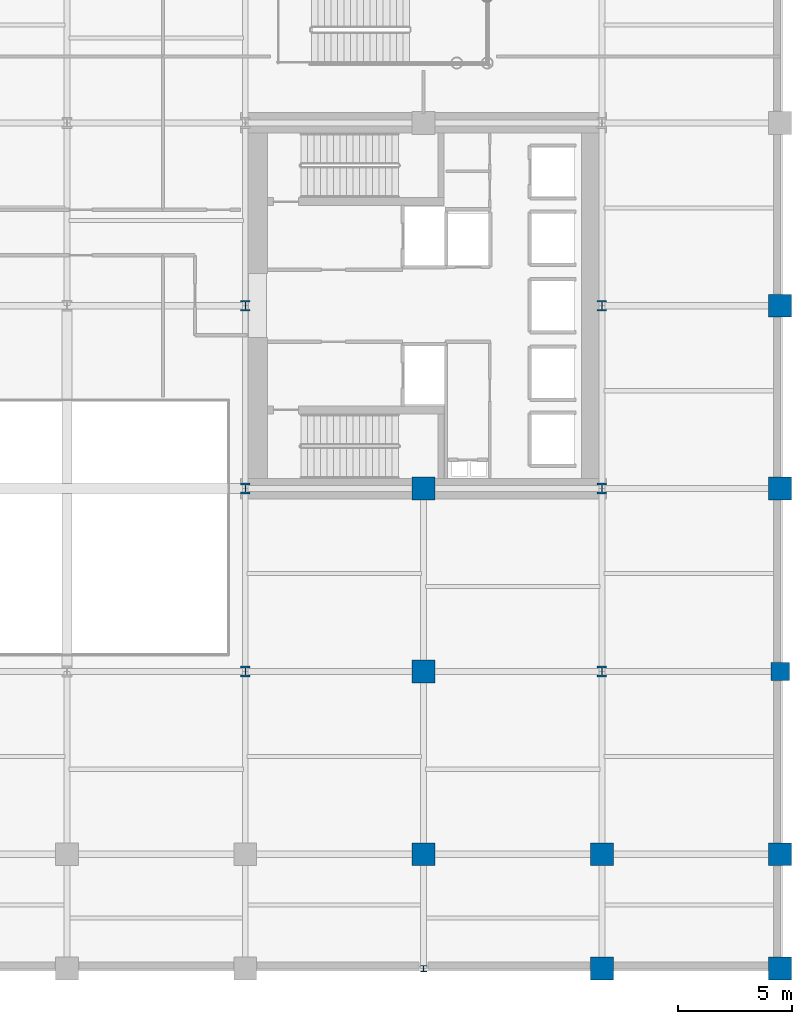
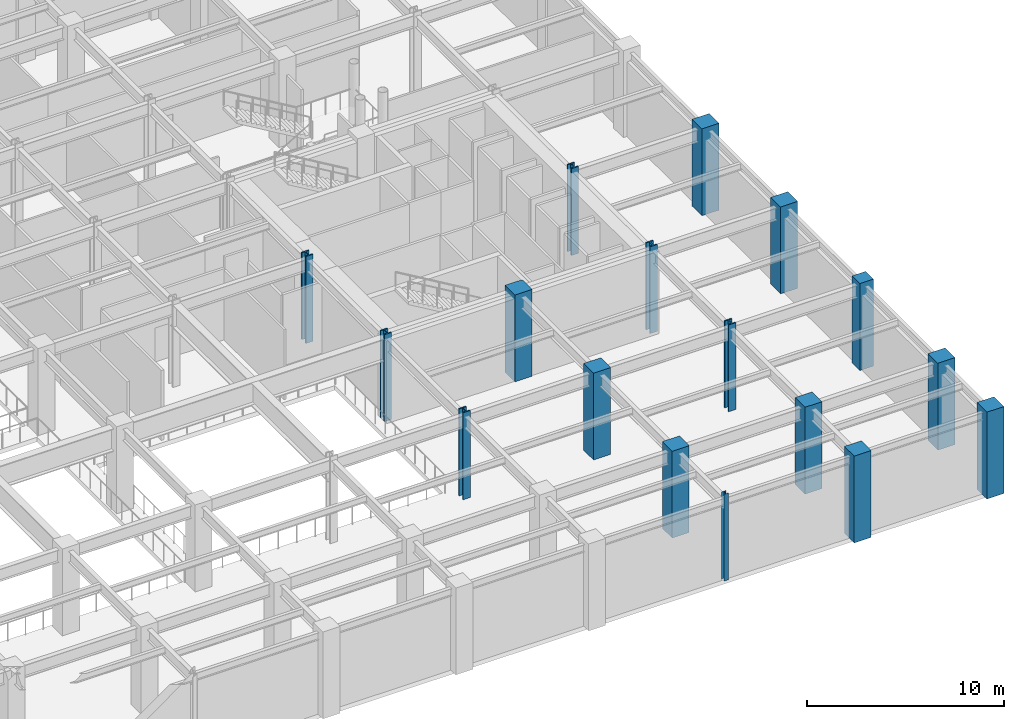
# One storey, part 3 of 15: 17 columns.
"""IFC4 building model written with IfcOpenShell, lengths in metres."""

from ifc_helpers import new_model, si_unit, direction, frame, origin, origin_2d, place, context, subcontext, project, spatial, rectangle, i_section, extrude, material, material_profile, profile_set, type_object, element, save


model = new_model("IFC4")

# Units and contexts
model_context = context("Model", 3, precision=1e-05, world=origin(), true_north=direction((0.0, 1.0)))
body_context = subcontext(model_context, "Body", "Model", "MODEL_VIEW")
ifc_project = project(units=[si_unit("LENGTHUNIT", "METRE"), si_unit("AREAUNIT", "SQUARE_METRE"), si_unit("VOLUMEUNIT", "CUBIC_METRE"), si_unit("PLANEANGLEUNIT", "RADIAN"), si_unit("MASSUNIT", "GRAM", prefix="KILO")], contexts=[model_context])

# Site, building, storey
site_placement = place(None, origin())
site = spatial("IfcSite", under=ifc_project, at=site_placement, CompositionType="ELEMENT")
building_placement = place(site_placement, origin())
building = spatial("IfcBuilding", under=site, at=building_placement, Name="Veymaron Broadcast Tower", CompositionType="ELEMENT")
storey_placement = place(building_placement, frame((0.0, 0.0, 5.39990234375)))
storey = spatial("IfcBuildingStorey", under=building, at=storey_placement, Name="L01", CompositionType="ELEMENT", Elevation=5.39990234375)

# Columns
ifc_material_1 = material(Name="Structural steel ASTM A913 Gr 65", Category="steel")
ifc_material_profile_1 = material_profile(ifc_material_1, i_section(OverallWidth=0.424072265625, OverallDepth=0.47412109375, WebThickness=0.047607421875, FlangeThickness=0.076904296875, at=origin_2d()), Name="W360X634")
ifc_profile_set_1 = profile_set([ifc_material_profile_1], Name="Structural steel ASTM A913 Gr 65")
column_type_1 = type_object("IfcColumnType", Name="COL-MC1", PredefinedType="COLUMN", material=ifc_profile_set_1)
for number, where, z_axis, x_axis, name in (
    (1, (39.0, 8.0, 0.0), (0.0, 0.0, 1.0), (1.0, 0.0, 0.0), "L01 column (39.0, 8.0)"),
    (2, (39.0, 16.0, 0.0), (0.0, 0.0, 1.0), (1.0, 0.0, 0.0), "L01 column (39.0, 16.0)"),
    (3, (39.0, 24.0, 0.0), (0.0, 0.0, 1.0), (1.0, 0.0, 0.0), "L01 column (39.0, 24.0)"),
    (4, (54.60009765625, 8.0, 0.0), (0.0, 0.0, 1.0), (1.0, 0.0, 0.0), "L01 column (54.6, 8.0)"),
    (5, (54.60009765625, 16.0, 0.0), (0.0, 0.0, 1.0), (1.0, 0.0, 0.0), "L01 column (54.6, 16.0)"),
    (6, (54.60009765625, 24.0, 0.0), (0.0, 0.0, 1.0), (1.0, 0.0, 0.0), "L01 column (54.6, 24.0)"),
):
    element("IfcColumn", number, at=place(storey_placement, frame(where, z_axis=z_axis, x_axis=x_axis)), inside=storey, type_object=column_type_1, Name=name, PredefinedType="COLUMN", context=body_context, shape_type="SweptSolid", body=[
        extrude(i_section(OverallWidth=0.424072265625, OverallDepth=0.47412109375, WebThickness=0.047607421875, FlangeThickness=0.076904296875, at=origin_2d()), origin(), (0.0, 0.0, 1.0), 5.39501953125),
    ])
ifc_material_2 = material(Name="Concrete C60/75", Category="concrete")
ifc_material_profile_2 = material_profile(ifc_material_2, rectangle(XDim=1.0, YDim=1.0, at=origin_2d()), Name="RC1000X1000")
ifc_profile_set_2 = profile_set([ifc_material_profile_2], Name="Concrete C60/75")
column_type_2 = type_object("IfcColumnType", Name="COL-RC3", PredefinedType="COLUMN", material=ifc_profile_set_2)
for number, where, z_axis, x_axis, name in (
    (7, (46.800048828125, 0.0, 0.0), (0.0, 0.0, 1.0), (1.0, 0.0, 0.0), "L01 column (46.8, 0.0)"),
    (8, (46.800048828125, 8.0, 0.0), (0.0, 0.0, 1.0), (1.0, 0.0, 0.0), "L01 column (46.8, 8.0)"),
    (9, (46.800048828125, 16.0, 0.0), (0.0, 0.0, 1.0), (1.0, 0.0, 0.0), "L01 column (46.8, 16.0)"),
    (10, (54.60009765625, -5.0, 0.0), (0.0, 0.0, 1.0), (1.0, 0.0, 0.0), "L01 column (54.6, -5.0)"),
    (11, (54.60009765625, 0.0, 0.0), (0.0, 0.0, 1.0), (1.0, 0.0, 0.0), "L01 column (54.6, 0.0)"),
    (12, (62.39990234375, -5.0, 0.0), (0.0, 0.0, 1.0), (1.0, 0.0, 0.0), "L01 column (62.4, -5.0)"),
    (13, (62.39990234375, 0.0, 0.0), (0.0, 0.0, 1.0), (1.0, 0.0, 0.0), "L01 column (62.4, 0.0)"),
    (14, (62.39990234375, 16.0, 0.0), (0.0, 0.0, 1.0), (1.0, 0.0, 0.0), "L01 column (62.4, 16.0)"),
    (15, (62.39990234375, 24.0, 0.0), (0.0, 0.0, 1.0), (1.0, 0.0, 0.0), "L01 column (62.4, 24.0)"),
):
    element("IfcColumn", number, at=place(storey_placement, frame(where, z_axis=z_axis, x_axis=x_axis)), inside=storey, type_object=column_type_2, Name=name, PredefinedType="COLUMN", context=body_context, shape_type="SweptSolid", body=[
        extrude(rectangle(XDim=1.0, YDim=1.0, at=origin_2d()), origin(), (0.0, 0.0, 1.0), 5.39501953125),
    ])
ifc_material_3 = material(Name="Concrete C50/60", Category="concrete")
ifc_material_profile_3 = material_profile(ifc_material_3, rectangle(XDim=0.800048828125, YDim=0.800048828125, at=origin_2d()), Name="RC800X800")
ifc_profile_set_3 = profile_set([ifc_material_profile_3], Name="Concrete C50/60")
column_type_3 = type_object("IfcColumnType", Name="COL-RC5", PredefinedType="COLUMN", material=ifc_profile_set_3)
column_1_placement = place(storey_placement, frame((62.39990234375, 8.0, 0.0), z_axis=(0.0, 0.0, 1.0), x_axis=(1.0, 0.0, 0.0)))
element("IfcColumn", 16, at=column_1_placement, inside=storey, type_object=column_type_3, Name="L01 column (62.4, 8.0)", PredefinedType="COLUMN", context=body_context, shape_type="SweptSolid", body=[
    extrude(rectangle(XDim=0.800048828125, YDim=0.800048828125, at=origin_2d()), origin(), (0.0, 0.0, 1.0), 5.39501953125),
])
ifc_material_4 = material(Name="Structural steel ASTM A992 Gr 50", Category="steel")
ifc_material_profile_4 = material_profile(ifc_material_4, i_section(OverallWidth=0.256103515625, OverallDepth=0.260009765625, WebThickness=0.0107421875, FlangeThickness=0.017333984375, at=origin_2d()), Name="W250X89")
ifc_profile_set_4 = profile_set([ifc_material_profile_4], Name="Structural steel ASTM A992 Gr 50")
column_type_4 = type_object("IfcColumnType", Name="COL-SC4", PredefinedType="PILASTER", material=ifc_profile_set_4)
column_2_placement = place(storey_placement, frame((46.800048828125, -5.0, 0.0), z_axis=(0.0, 0.0, 1.0), x_axis=(1.0, 0.0, 0.0)))
element("IfcColumn", 17, at=column_2_placement, inside=storey, type_object=column_type_4, Name="L01 column (46.8, -5.0)", PredefinedType="PILASTER", context=body_context, shape_type="SweptSolid", body=[
    extrude(i_section(OverallWidth=0.256103515625, OverallDepth=0.260009765625, WebThickness=0.0107421875, FlangeThickness=0.017333984375, at=origin_2d()), origin(), (0.0, 0.0, 1.0), 5.39501953125),
])

save(model, "model.ifc")
